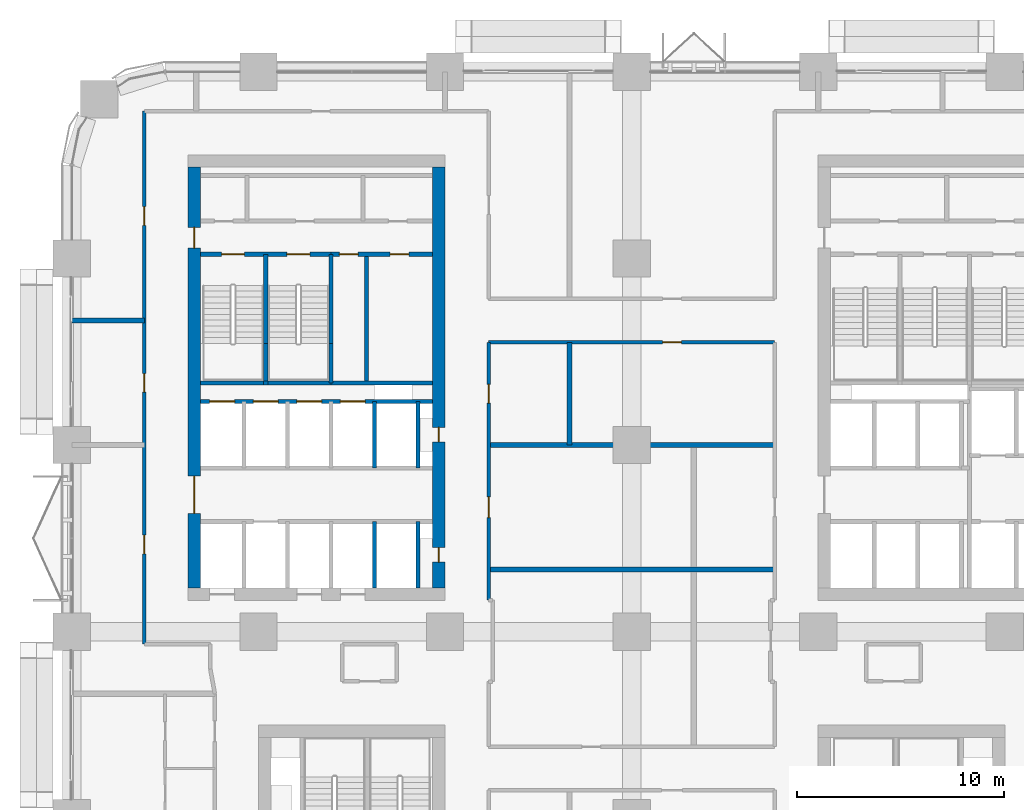
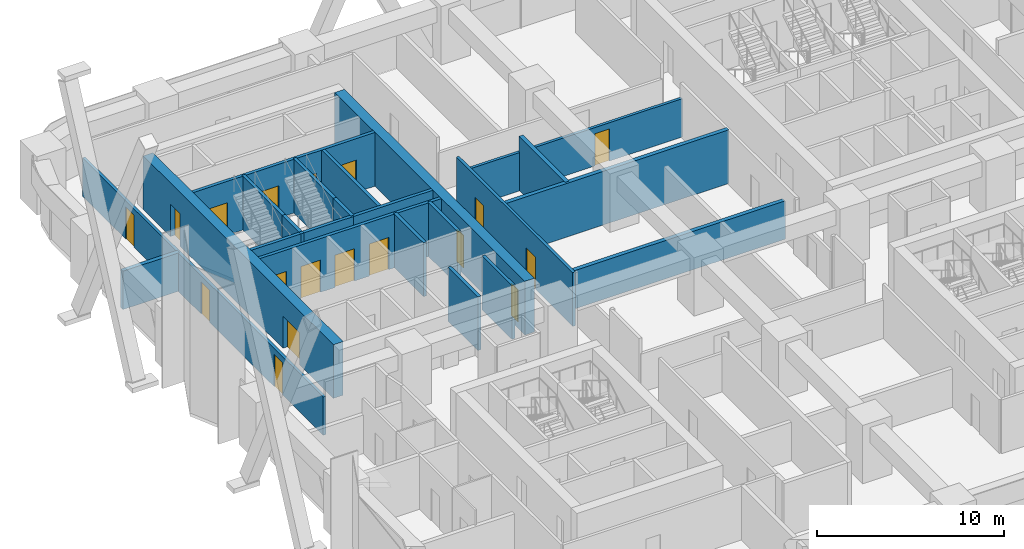
# One storey, part 17 of 23: 25 walls, 18 doors, 18 openings.
"""IFC4 building model written with IfcOpenShell, lengths in metres."""

import ifcopenshell
import ifcopenshell.guid

model = None  # the IFC model being written
_history = None  # IfcOwnerHistory: only IFC2X3 demands one
_inside = {}  # id of a spatial element -> (the spatial element, [elements in it])
_under = {}  # id of a project, library or spatial element -> (it, [spatial elements below it])
_declared = {}  # id of a project -> (the project, [libraries it declares])
_typed = {}  # id of a type object -> (the type object, [elements of that type])
_made_of = {}  # id of a material, layer set ... -> (it, [elements and type objects made of it])


def new_model(schema):
    """Start an empty IFC model of exactly this schema.

    Asked for "IFC4X3", IfcOpenShell would pick the latest addendum, in which some entities
    have other attributes; the version numbers below select the first issue.
    IFC2X3 requires an IfcOwnerHistory on every rooted entity: one is made here for all.
    """
    global model, _history
    if schema == "IFC4X3":
        model = ifcopenshell.file(schema_version=(4, 3, 0, 0))
    else:
        model = ifcopenshell.file(schema=schema)
    _inside.clear()
    _under.clear()
    _declared.clear()
    _typed.clear()
    _made_of.clear()
    _history = None
    if model.schema == "IFC2X3":
        org = make("IfcOrganization", Name="unknown")
        user = make(
            "IfcPersonAndOrganization",
            ThePerson=make("IfcPerson", FamilyName="unknown"),
            TheOrganization=org,
        )
        app = make(
            "IfcApplication",
            ApplicationDeveloper=org,
            Version="unknown",
            ApplicationFullName="unknown",
            ApplicationIdentifier="unknown",
        )
        _history = make(
            "IfcOwnerHistory",
            OwningUser=user,
            OwningApplication=app,
            ChangeAction="ADDED",
            CreationDate=0,
        )
    return model


def make(cls, **values):
    """One entity of the class cls with the attributes given. An attribute that is None is left unset."""
    return model.create_entity(
        cls, **{name: value for name, value in values.items() if value is not None}
    )


def rooted(cls, **values):
    """An entity with a GlobalId (a new one), such as an element, a storey or a relation."""
    return make(cls, GlobalId=ifcopenshell.guid.new(), OwnerHistory=_history, **values)


def si_unit(unit_type, name, prefix=None):
    """IfcSIUnit, for example si_unit("LENGTHUNIT", "METRE", prefix="MILLI")."""
    return make("IfcSIUnit", UnitType=unit_type, Prefix=prefix, Name=name)


def assignment(units):
    """IfcUnitAssignment: the units of a project."""
    return None if units is None else make("IfcUnitAssignment", Units=units)


def point(xyz):
    """IfcCartesianPoint."""
    return None if xyz is None else make("IfcCartesianPoint", Coordinates=xyz)


def direction(xyz):
    """IfcDirection."""
    return None if xyz is None else make("IfcDirection", DirectionRatios=xyz)


def frame(location, z_axis=None, x_axis=None):
    """IfcAxis2Placement3D, a coordinate frame: its origin and axes. An axis left out is left unset."""
    return make(
        "IfcAxis2Placement3D",
        Location=point(location),
        Axis=direction(z_axis),
        RefDirection=direction(x_axis),
    )


def frame_2d(location, x_axis=None):
    """IfcAxis2Placement2D, a coordinate frame in the plane: its origin and x axis."""
    return make(
        "IfcAxis2Placement2D", Location=point(location), RefDirection=direction(x_axis)
    )


def origin():
    """The frame at (0, 0, 0) with its axes left unset."""
    return frame((0.0, 0.0, 0.0))


def place(relative_to, where):
    """IfcLocalPlacement: puts the frame where relative to a parent placement (None: the world)."""
    return make(
        "IfcLocalPlacement", PlacementRelTo=relative_to, RelativePlacement=where
    )


def context(
    kind, dimensions, precision=None, world=None, true_north=None, identifier=None
):
    """IfcGeometricRepresentationContext, for example the 3D "Model" context."""
    return make(
        "IfcGeometricRepresentationContext",
        ContextIdentifier=identifier,
        ContextType=kind,
        CoordinateSpaceDimension=dimensions,
        Precision=precision,
        WorldCoordinateSystem=world,
        TrueNorth=true_north,
    )


def subcontext(parent, identifier, kind, view, scale=None):
    """IfcGeometricRepresentationSubContext, for example "Body" below "Model"."""
    return make(
        "IfcGeometricRepresentationSubContext",
        ContextIdentifier=identifier,
        ContextType=kind,
        ParentContext=parent,
        TargetScale=scale,
        TargetView=view,
    )


def project(units=None, contexts=None):
    """IfcProject with its units and contexts."""
    return rooted(
        "IfcProject",
        Name="project",
        RepresentationContexts=contexts,
        UnitsInContext=assignment(units),
    )


def spatial(cls, under=None, at=None, **own):
    """A site, building, storey or space (cls), placed at a placement, below another one or the project."""
    s = rooted(cls, ObjectPlacement=at, **own)
    if under is not None:
        _under.setdefault(under.id(), (under, []))[1].append(s)
    return s


def profile(cls, at=None, kind="AREA", **sizes):
    """A parametric profile (cls). Its sizes go by their IFC names, for example OverallWidth=200.0."""
    return make(cls, ProfileType=kind, Position=at, **sizes)


def rectangle(**sizes):
    """IfcRectangleProfileDef."""
    return profile("IfcRectangleProfileDef", **sizes)


def extrude(swept, where, along, depth):
    """IfcExtrudedAreaSolid: the profile swept, set in the frame where, extruded along a direction by depth."""
    return make(
        "IfcExtrudedAreaSolid",
        SweptArea=swept,
        Position=where,
        ExtrudedDirection=direction(along),
        Depth=depth,
    )


def shape(context_of_items, identifier, shape_type, items):
    """IfcShapeRepresentation: the items that make up one representation, for example the "Body"."""
    return make(
        "IfcShapeRepresentation",
        ContextOfItems=context_of_items,
        RepresentationIdentifier=identifier,
        RepresentationType=shape_type,
        Items=items,
    )


def material(Name=None, Category=None):
    """IfcMaterial."""
    return make("IfcMaterial", Name=Name, Category=Category)


def layer(
    of_material, thickness, ventilated=None, Name=None, Category=None, Priority=None
):
    """IfcMaterialLayer: one layer of a wall or slab, of a material (None: an air gap)."""
    return make(
        "IfcMaterialLayer",
        Material=of_material,
        LayerThickness=thickness,
        IsVentilated=ventilated,
        Name=Name,
        Category=Category,
        Priority=Priority,
    )


def layer_set(layers, Name=None):
    """IfcMaterialLayerSet."""
    return make("IfcMaterialLayerSet", MaterialLayers=layers, LayerSetName=Name)


def made_of(thing, what):
    """Note that an element or type object is made of a material, layer set ...; save() writes the relation."""
    if what is not None:
        _made_of.setdefault(what.id(), (what, []))[1].append(thing)
    return thing


def type_object(cls, material=None, **own):
    """A type object (cls), such as IfcWallType, which elements share."""
    return made_of(rooted(cls, **own), material)


def element(
    cls,
    number,
    at=None,
    inside=None,
    cuts=None,
    type_object=None,
    material=None,
    context=None,
    identifier="Body",
    shape_type=None,
    held_by="IfcProductDefinitionShape",
    body=None,
    shapes=None,
    **own,
):
    """One element of the class cls, such as IfcWall. Its Tag is "e" and its number.

    at: its placement. inside: the storey or other place that contains it. cuts: it is an
    opening in that element (IfcRelVoidsElement). A single representation is given by context,
    identifier, shape_type and body (its items); several are given by shapes. held_by: the class
    of the entity that holds the representations. save() writes the other relations.
    """
    e = rooted(cls, Tag="e%d" % number, ObjectPlacement=at, **own)
    if body is not None:
        shapes = [shape(context, identifier, shape_type, body)]
    if shapes is not None:
        e.Representation = make(held_by, Representations=shapes)
    if inside is not None:
        _inside.setdefault(inside.id(), (inside, []))[1].append(e)
    if cuts is not None:
        rooted(
            "IfcRelVoidsElement", RelatingBuildingElement=cuts, RelatedOpeningElement=e
        )
    if type_object is not None:
        _typed.setdefault(type_object.id(), (type_object, []))[1].append(e)
    return made_of(e, material)


def fill(opening, filler):
    """IfcRelFillsElement: the door or window that sits in an opening."""
    return rooted(
        "IfcRelFillsElement",
        RelatingOpeningElement=opening,
        RelatedBuildingElement=filler,
    )


def aggregate(whole, parts):
    """IfcRelAggregates: a whole, such as a stair, and the parts it consists of."""
    return rooted("IfcRelAggregates", RelatingObject=whole, RelatedObjects=parts)


def save(model, path):
    """Write the relations noted so far, then the file.

    IfcRelAggregates (storeys below a building ...), IfcRelContainedInSpatialStructure (elements
    in a storey), IfcRelDefinesByType, IfcRelAssociatesMaterial and IfcRelDeclares: one each for
    every whole, place, type object, material and project.
    """
    for whole, parts in _under.values():
        aggregate(whole, parts)
    for where, things in _inside.values():
        rooted(
            "IfcRelContainedInSpatialStructure",
            RelatedElements=things,
            RelatingStructure=where,
        )
    for kind, things in _typed.values():
        rooted("IfcRelDefinesByType", RelatedObjects=things, RelatingType=kind)
    for what, things in _made_of.values():
        rooted("IfcRelAssociatesMaterial", RelatedObjects=things, RelatingMaterial=what)
    for by, libraries in _declared.values():
        rooted("IfcRelDeclares", RelatingContext=by, RelatedDefinitions=libraries)
    model.write(path)


model = new_model("IFC4")

# Units and contexts
model_context = context("Model", 3, precision=1e-05, world=origin(), true_north=direction((0.0, 1.0)))
body_context = subcontext(model_context, "Body", "Model", "MODEL_VIEW")
ifc_project = project(units=[si_unit("LENGTHUNIT", "METRE"), si_unit("AREAUNIT", "SQUARE_METRE"), si_unit("VOLUMEUNIT", "CUBIC_METRE"), si_unit("PLANEANGLEUNIT", "RADIAN"), si_unit("MASSUNIT", "GRAM", prefix="KILO")], contexts=[model_context])

# Site, building, storey
site_placement = place(None, origin())
site = spatial("IfcSite", under=ifc_project, at=site_placement, CompositionType="ELEMENT")
building_placement = place(site_placement, origin())
building = spatial("IfcBuilding", under=site, at=building_placement, Name="Tessera Arch", CompositionType="ELEMENT")
storey_placement = place(building_placement, frame((0.0, 0.0, 46.199951171875)))
storey = spatial("IfcBuildingStorey", under=building, at=storey_placement, Name="L09", CompositionType="ELEMENT", Elevation=46.199951171875)

# Wall
ifc_material_1 = material(Name="Gypsum board on steel stud", Category="steel")
ifc_layer_1 = layer(ifc_material_1, 0.125)
ifc_layer_set_1 = layer_set([ifc_layer_1], Name="Core partition 125 EI 60")
wall_type_1 = type_object("IfcWallType", Name="Core partition 125 EI 60", PredefinedType="PARTITIONING", material=ifc_layer_set_1)
wall_1_placement = place(storey_placement, frame((14.215087890625, 39.0, 0.0), z_axis=(0.0, 0.0, 1.0), x_axis=(0.0, 1.0, 0.0)))
element("IfcWall", 1, at=wall_1_placement, inside=storey, type_object=wall_type_1, Name="L09 C2 partition wall 13", PredefinedType="PARTITIONING", context=body_context, shape_type="SweptSolid", body=[
    extrude(rectangle(XDim=6.199951171875, YDim=0.199951171875, at=frame_2d((3.10009765625, 0.0))), origin(), (0.0, 0.0, 1.0), 3.5),
])

# Wall, openings, doors
wall_2_placement = place(storey_placement, frame((12.5, 45.199951171875, 0.0), z_axis=(0.0, 0.0, 1.0), x_axis=(1.0, 0.0, 0.0)))
wall_2 = element("IfcWall", 2, at=wall_2_placement, inside=storey, type_object=wall_type_1, Name="L09 C2 partition wall 25", PredefinedType="PARTITIONING", context=body_context, shape_type="SweptSolid", body=[
    extrude(rectangle(XDim=4.89990234375, YDim=0.199951171875, at=frame_2d((2.449951171875, 0.0))), origin(), (0.0, 0.0, 1.0), 3.5),
])
opening_1_placement = place(wall_2_placement, frame((0.407470703125, 0.0, 0.0)))
opening_1 = element("IfcOpeningElement", 3, at=opening_1_placement, cuts=wall_2, Name="Opening L09-C31", PredefinedType="OPENING", context=body_context, shape_type="SweptSolid", body=[
    extrude(rectangle(XDim=0.89990234375, YDim=2.10009765625, at=frame_2d((0.449951171875, 1.050048828125))), frame((0.0, 0.10986328125, 0.0), z_axis=(0.0, -1.0, 0.0), x_axis=(1.0, 0.0, 0.0)), (0.0, 0.0, 1.0), 0.219970703125),
])
opening_2_placement = place(wall_2_placement, frame((2.857421875, 0.0, 0.0)))
opening_2 = element("IfcOpeningElement", 4, at=opening_2_placement, cuts=wall_2, Name="Opening L09-C32", PredefinedType="OPENING", context=body_context, shape_type="SweptSolid", body=[
    extrude(rectangle(XDim=0.89990234375, YDim=2.10009765625, at=frame_2d((0.449951171875, 1.050048828125))), frame((0.0, 0.10986328125, 0.0), z_axis=(0.0, -1.0, 0.0), x_axis=(1.0, 0.0, 0.0)), (0.0, 0.0, 1.0), 0.219970703125),
])
ifc_material_2 = material(Name="Steel door leaf", Category="steel")
door_type_1 = type_object("IfcDoorType", Name="Store door FD30S 900 x 2100", OperationType="SINGLE_SWING_LEFT", PredefinedType="DOOR", material=ifc_material_2)
door_1_placement = place(opening_1_placement, origin())
door_1 = element("IfcDoor", 5, at=door_1_placement, inside=storey, type_object=door_type_1, Name="L09 C2 door 18 C31 type D09", OperationType="SINGLE_SWING_LEFT", OverallHeight=2.10009765625, OverallWidth=0.89990234375, PredefinedType="DOOR", context=body_context, shape_type="SweptSolid", body=[
    extrude(rectangle(XDim=0.89990234375, YDim=2.10009765625, at=frame_2d((0.449951171875, 1.050048828125))), frame((0.0, 0.02490234375, 0.0), z_axis=(0.0, -1.0, 0.0), x_axis=(1.0, 0.0, 0.0)), (0.0, 0.0, 1.0), 0.050048828125),
])
fill(opening_1, door_1)
door_2_placement = place(opening_2_placement, origin())
door_2 = element("IfcDoor", 6, at=door_2_placement, inside=storey, type_object=door_type_1, Name="L09 C2 door 19 C32 type D09", OperationType="SINGLE_SWING_RIGHT", OverallHeight=2.10009765625, OverallWidth=0.89990234375, PredefinedType="DOOR", context=body_context, shape_type="SweptSolid", body=[
    extrude(rectangle(XDim=0.89990234375, YDim=2.10009765625, at=frame_2d((0.449951171875, 1.050048828125))), frame((0.0, 0.02490234375, 0.0), z_axis=(0.0, -1.0, 0.0), x_axis=(1.0, 0.0, 0.0)), (0.0, 0.0, 1.0), 0.050048828125),
])
fill(opening_2, door_2)

ifc_material_3 = material(Name="Concrete C70/85", Category="concrete")
ifc_layer_2 = layer(ifc_material_3, 0.60009765625)
ifc_layer_set_2 = layer_set([ifc_layer_2], Name="Core shell wall 600 C70-85")
wall_type_2 = type_object("IfcWallType", Name="Core shell wall 600 C70-85", PredefinedType="SHEAR", material=ifc_layer_set_2)
wall_3_placement = place(storey_placement, frame((5.89990234375, 29.10009765625, 0.0), z_axis=(0.0, 0.0, 1.0), x_axis=(0.0, 1.0, 0.0)))
wall_3 = element("IfcWall", 7, at=wall_3_placement, inside=storey, type_object=wall_type_2, Name="L09 C2 core wall W", PredefinedType="SHEAR", context=body_context, shape_type="SweptSolid", body=[
    extrude(rectangle(XDim=20.2998046875, YDim=0.60009765625, at=frame_2d((10.14990234375, 0.0))), origin(), (0.0, 0.0, 1.0), 3.5),
])
opening_3_placement = place(wall_3_placement, frame((3.60009765625, 0.0, 0.0)))
opening_3 = element("IfcOpeningElement", 8, at=opening_3_placement, cuts=wall_3, Name="Opening L09-C24", PredefinedType="OPENING", context=body_context, shape_type="SweptSolid", body=[
    extrude(rectangle(XDim=1.800048828125, YDim=2.10009765625, at=frame_2d((0.89990234375, 1.050048828125))), frame((0.0, 0.31005859375, 0.0), z_axis=(0.0, -1.0, 0.0), x_axis=(1.0, 0.0, 0.0)), (0.0, 0.0, 1.0), 0.6201171875),
])
opening_4_placement = place(wall_3_placement, frame((16.39990234375, 0.0, 0.0)))
opening_4 = element("IfcOpeningElement", 9, at=opening_4_placement, cuts=wall_3, Name="Opening L09-C27", PredefinedType="OPENING", context=body_context, shape_type="SweptSolid", body=[
    extrude(rectangle(XDim=1.0, YDim=2.10009765625, at=frame_2d((0.5, 1.050048828125))), frame((0.0, 0.31005859375, 0.0), z_axis=(0.0, -1.0, 0.0), x_axis=(1.0, 0.0, 0.0)), (0.0, 0.0, 1.0), 0.6201171875),
])
ifc_material_4 = material(Name="Steel door leaf", Category="steel")
door_type_2 = type_object("IfcDoorType", Name="Corridor door FD60 1000 x 2100", OperationType="SINGLE_SWING_LEFT", PredefinedType="DOOR", material=ifc_material_4)
door_3_placement = place(opening_4_placement, origin())
door_3 = element("IfcDoor", 10, at=door_3_placement, inside=storey, type_object=door_type_2, Name="L09 C2 door 14 C27 type D12", OperationType="SINGLE_SWING_RIGHT", OverallHeight=2.10009765625, OverallWidth=1.0, PredefinedType="DOOR", context=body_context, shape_type="SweptSolid", body=[
    extrude(rectangle(XDim=1.0, YDim=2.10009765625, at=frame_2d((0.5, 1.050048828125))), frame((0.0, 0.02490234375, 0.0), z_axis=(0.0, -1.0, 0.0), x_axis=(1.0, 0.0, 0.0)), (0.0, 0.0, 1.0), 0.050048828125),
])
fill(opening_4, door_3)
ifc_material_5 = material(Name="Glazed steel door leaf", Category="steel")
door_type_3 = type_object("IfcDoorType", Name="Lobby double door FD30S 1800 x 2100", OperationType="DOUBLE_DOOR_SINGLE_SWING", PredefinedType="DOOR", material=ifc_material_5)
door_4_placement = place(opening_3_placement, origin())
door_4 = element("IfcDoor", 11, at=door_4_placement, inside=storey, type_object=door_type_3, Name="L09 C2 door 11 C24 type D06", OperationType="DOUBLE_DOOR_SINGLE_SWING", OverallHeight=2.10009765625, OverallWidth=1.800048828125, PredefinedType="DOOR", context=body_context, shape_type="SweptSolid", body=[
    extrude(rectangle(XDim=1.800048828125, YDim=2.10009765625, at=frame_2d((0.89990234375, 1.050048828125))), frame((0.0, 0.02490234375, 0.0), z_axis=(0.0, -1.0, 0.0), x_axis=(1.0, 0.0, 0.0)), (0.0, 0.0, 1.0), 0.050048828125),
])
fill(opening_3, door_4)

wall_4_placement = place(storey_placement, frame((17.699951171875, 29.10009765625, 0.0), z_axis=(0.0, 0.0, 1.0), x_axis=(0.0, 1.0, 0.0)))
wall_4 = element("IfcWall", 12, at=wall_4_placement, inside=storey, type_object=wall_type_2, Name="L09 C2 core wall E", PredefinedType="SHEAR", context=body_context, shape_type="SweptSolid", body=[
    extrude(rectangle(XDim=20.2998046875, YDim=0.60009765625, at=frame_2d((10.14990234375, 0.0))), origin(), (0.0, 0.0, 1.0), 3.5),
])
opening_5_placement = place(wall_4_placement, frame((1.25, 0.0, 0.0)))
opening_5 = element("IfcOpeningElement", 13, at=opening_5_placement, cuts=wall_4, Name="Opening L09-C22", PredefinedType="OPENING", context=body_context, shape_type="SweptSolid", body=[
    extrude(rectangle(XDim=0.699951171875, YDim=2.10009765625, at=frame_2d((0.35009765625, 1.050048828125))), frame((0.0, 0.31005859375, 0.0), z_axis=(0.0, -1.0, 0.0), x_axis=(1.0, 0.0, 0.0)), (0.0, 0.0, 1.0), 0.6201171875),
])
opening_6_placement = place(wall_4_placement, frame((7.050048828125, 0.0, 0.0)))
opening_6 = element("IfcOpeningElement", 14, at=opening_6_placement, cuts=wall_4, Name="Opening L09-C23", PredefinedType="OPENING", context=body_context, shape_type="SweptSolid", body=[
    extrude(rectangle(XDim=0.699951171875, YDim=2.10009765625, at=frame_2d((0.35009765625, 1.050048828125))), frame((0.0, 0.31005859375, 0.0), z_axis=(0.0, -1.0, 0.0), x_axis=(1.0, 0.0, 0.0)), (0.0, 0.0, 1.0), 0.6201171875),
])
ifc_material_6 = material(Name="Steel door leaf", Category="steel")
door_type_4 = type_object("IfcDoorType", Name="Service shaft door FD60 700 x 2100", OperationType="SINGLE_SWING_LEFT", PredefinedType="DOOR", material=ifc_material_6)
door_5_placement = place(opening_5_placement, origin())
door_5 = element("IfcDoor", 15, at=door_5_placement, inside=storey, type_object=door_type_4, Name="L09 C2 door 9 C22 type D07", OperationType="SINGLE_SWING_LEFT", OverallHeight=2.10009765625, OverallWidth=0.699951171875, PredefinedType="DOOR", context=body_context, shape_type="SweptSolid", body=[
    extrude(rectangle(XDim=0.699951171875, YDim=2.10009765625, at=frame_2d((0.35009765625, 1.050048828125))), frame((0.0, 0.02490234375, 0.0), z_axis=(0.0, -1.0, 0.0), x_axis=(1.0, 0.0, 0.0)), (0.0, 0.0, 1.0), 0.050048828125),
])
fill(opening_5, door_5)
door_6_placement = place(opening_6_placement, origin())
door_6 = element("IfcDoor", 16, at=door_6_placement, inside=storey, type_object=door_type_4, Name="L09 C2 door 10 C23 type D07", OperationType="SINGLE_SWING_LEFT", OverallHeight=2.10009765625, OverallWidth=0.699951171875, PredefinedType="DOOR", context=body_context, shape_type="SweptSolid", body=[
    extrude(rectangle(XDim=0.699951171875, YDim=2.10009765625, at=frame_2d((0.35009765625, 1.050048828125))), frame((0.0, 0.02490234375, 0.0), z_axis=(0.0, -1.0, 0.0), x_axis=(1.0, 0.0, 0.0)), (0.0, 0.0, 1.0), 0.050048828125),
])
fill(opening_6, door_6)

# Wall, opening, door
ifc_material_7 = material(Name="Gypsum board on deep steel stud with mineral wool", Category="steel")
ifc_layer_3 = layer(ifc_material_7, 0.175048828125)
ifc_layer_set_3 = layer_set([ifc_layer_3], Name="Corridor wall 175 EI 60")
wall_type_3 = type_object("IfcWallType", Name="Corridor wall 175 EI 60", PredefinedType="PARTITIONING", material=ifc_layer_set_3)
wall_5_placement = place(storey_placement, frame((20.10009765625, 40.949951171875, 0.0), z_axis=(0.0, 0.0, 1.0), x_axis=(1.0, 0.0, 0.0)))
wall_5 = element("IfcWall", 17, at=wall_5_placement, inside=storey, type_object=wall_type_3, Name="L09 partition 15", PredefinedType="PARTITIONING", context=body_context, shape_type="SweptSolid", body=[
    extrude(rectangle(XDim=13.7998046875, YDim=0.175048828125, at=frame_2d((6.89990234375, 0.0))), origin(), (0.0, 0.0, 1.0), 2.5),
])
opening_7_placement = place(wall_5_placement, frame((8.39990234375, 0.0, 0.0)))
opening_7 = element("IfcOpeningElement", 18, at=opening_7_placement, cuts=wall_5, Name="Opening L09-D025", PredefinedType="OPENING", context=body_context, shape_type="SweptSolid", body=[
    extrude(rectangle(XDim=0.89990234375, YDim=2.10009765625, at=frame_2d((0.449951171875, 1.050048828125))), frame((0.0, 0.097412109375, 0.0), z_axis=(0.0, -1.0, 0.0), x_axis=(1.0, 0.0, 0.0)), (0.0, 0.0, 1.0), 0.195068359375),
])
ifc_material_8 = material(Name="Timber door leaf", Category="wood")
door_type_5 = type_object("IfcDoorType", Name="Room door 900 x 2100", OperationType="SINGLE_SWING_LEFT", PredefinedType="DOOR", material=ifc_material_8)
door_7_placement = place(opening_7_placement, origin())
door_7 = element("IfcDoor", 19, at=door_7_placement, inside=storey, type_object=door_type_5, Name="L09 door D025 type D01", OperationType="SINGLE_SWING_RIGHT", OverallHeight=2.10009765625, OverallWidth=0.89990234375, PredefinedType="DOOR", context=body_context, shape_type="SweptSolid", body=[
    extrude(rectangle(XDim=0.89990234375, YDim=2.10009765625, at=frame_2d((0.449951171875, 1.050048828125))), frame((0.0, 0.02490234375, 0.0), z_axis=(0.0, -1.0, 0.0), x_axis=(1.0, 0.0, 0.0)), (0.0, 0.0, 1.0), 0.050048828125),
])
fill(opening_7, door_7)

# Wall, openings, doors
wall_6_placement = place(storey_placement, frame((3.5, 26.39990234375, 0.0), z_axis=(0.0, 0.0, 1.0), x_axis=(0.0, 1.0, 0.0)))
wall_6 = element("IfcWall", 20, at=wall_6_placement, inside=storey, type_object=wall_type_3, Name="L09 partition 19", PredefinedType="PARTITIONING", context=body_context, shape_type="SweptSolid", body=[
    extrude(rectangle(XDim=25.7001953125, YDim=0.175048828125, at=frame_2d((12.85009765625, 0.0))), origin(), (0.0, 0.0, 1.0), 2.5),
])
opening_8_placement = place(wall_6_placement, frame((4.35009765625, 0.0, 0.0)))
opening_8 = element("IfcOpeningElement", 21, at=opening_8_placement, cuts=wall_6, Name="Opening L09-D020", PredefinedType="OPENING", context=body_context, shape_type="SweptSolid", body=[
    extrude(rectangle(XDim=0.89990234375, YDim=2.10009765625, at=frame_2d((0.449951171875, 1.050048828125))), frame((0.0, 0.097412109375, 0.0), z_axis=(0.0, -1.0, 0.0), x_axis=(1.0, 0.0, 0.0)), (0.0, 0.0, 1.0), 0.195068359375),
])
opening_9_placement = place(wall_6_placement, frame((12.14990234375, 0.0, 0.0)))
opening_9 = element("IfcOpeningElement", 22, at=opening_9_placement, cuts=wall_6, Name="Opening L09-D026", PredefinedType="OPENING", context=body_context, shape_type="SweptSolid", body=[
    extrude(rectangle(XDim=0.89990234375, YDim=2.10009765625, at=frame_2d((0.449951171875, 1.050048828125))), frame((0.0, 0.097412109375, 0.0), z_axis=(0.0, -1.0, 0.0), x_axis=(1.0, 0.0, 0.0)), (0.0, 0.0, 1.0), 0.195068359375),
])
opening_10_placement = place(wall_6_placement, frame((20.199951171875, 0.0, 0.0)))
opening_10 = element("IfcOpeningElement", 23, at=opening_10_placement, cuts=wall_6, Name="Opening L09-D029", PredefinedType="OPENING", context=body_context, shape_type="SweptSolid", body=[
    extrude(rectangle(XDim=0.89990234375, YDim=2.10009765625, at=frame_2d((0.449951171875, 1.050048828125))), frame((0.0, 0.097412109375, 0.0), z_axis=(0.0, -1.0, 0.0), x_axis=(1.0, 0.0, 0.0)), (0.0, 0.0, 1.0), 0.195068359375),
])
door_8_placement = place(opening_8_placement, origin())
door_8 = element("IfcDoor", 24, at=door_8_placement, inside=storey, type_object=door_type_5, Name="L09 door D020 type D01", OperationType="SINGLE_SWING_RIGHT", OverallHeight=2.10009765625, OverallWidth=0.89990234375, PredefinedType="DOOR", context=body_context, shape_type="SweptSolid", body=[
    extrude(rectangle(XDim=0.89990234375, YDim=2.10009765625, at=frame_2d((0.449951171875, 1.050048828125))), frame((0.0, 0.02490234375, 0.0), z_axis=(0.0, -1.0, 0.0), x_axis=(1.0, 0.0, 0.0)), (0.0, 0.0, 1.0), 0.050048828125),
])
fill(opening_8, door_8)
door_9_placement = place(opening_9_placement, origin())
door_9 = element("IfcDoor", 25, at=door_9_placement, inside=storey, type_object=door_type_5, Name="L09 door D026 type D01", OperationType="SINGLE_SWING_RIGHT", OverallHeight=2.10009765625, OverallWidth=0.89990234375, PredefinedType="DOOR", context=body_context, shape_type="SweptSolid", body=[
    extrude(rectangle(XDim=0.89990234375, YDim=2.10009765625, at=frame_2d((0.449951171875, 1.050048828125))), frame((0.0, 0.02490234375, 0.0), z_axis=(0.0, -1.0, 0.0), x_axis=(1.0, 0.0, 0.0)), (0.0, 0.0, 1.0), 0.050048828125),
])
fill(opening_9, door_9)
door_10_placement = place(opening_10_placement, origin())
door_10 = element("IfcDoor", 26, at=door_10_placement, inside=storey, type_object=door_type_5, Name="L09 door D029 type D01", OperationType="SINGLE_SWING_LEFT", OverallHeight=2.10009765625, OverallWidth=0.89990234375, PredefinedType="DOOR", context=body_context, shape_type="SweptSolid", body=[
    extrude(rectangle(XDim=0.89990234375, YDim=2.10009765625, at=frame_2d((0.449951171875, 1.050048828125))), frame((0.0, 0.02490234375, 0.0), z_axis=(0.0, -1.0, 0.0), x_axis=(1.0, 0.0, 0.0)), (0.0, 0.0, 1.0), 0.050048828125),
])
fill(opening_10, door_10)

wall_7_placement = place(storey_placement, frame((20.10009765625, 28.52001953125, 0.0), z_axis=(0.0, 0.0, 1.0), x_axis=(0.0, 1.0, 0.0)))
wall_7 = element("IfcWall", 27, at=wall_7_placement, inside=storey, type_object=wall_type_3, Name="L09 partition 26", PredefinedType="PARTITIONING", context=body_context, shape_type="SweptSolid", body=[
    extrude(rectangle(XDim=12.429931640625, YDim=0.175048828125, at=frame_2d((6.21484375, 0.0))), origin(), (0.0, 0.0, 1.0), 3.5),
])
opening_11_placement = place(wall_7_placement, frame((3.97998046875, 0.0, 0.0)))
opening_11 = element("IfcOpeningElement", 28, at=opening_11_placement, cuts=wall_7, Name="Opening L09-D022", PredefinedType="OPENING", context=body_context, shape_type="SweptSolid", body=[
    extrude(rectangle(XDim=1.0, YDim=2.10009765625, at=frame_2d((0.5, 1.050048828125))), frame((0.0, 0.097412109375, 0.0), z_axis=(0.0, -1.0, 0.0), x_axis=(1.0, 0.0, 0.0)), (0.0, 0.0, 1.0), 0.195068359375),
])
opening_12_placement = place(wall_7_placement, frame((9.5048828125, 0.0, 0.0)))
opening_12 = element("IfcOpeningElement", 29, at=opening_12_placement, cuts=wall_7, Name="Opening L09-D024", PredefinedType="OPENING", context=body_context, shape_type="SweptSolid", body=[
    extrude(rectangle(XDim=0.89990234375, YDim=2.10009765625, at=frame_2d((0.449951171875, 1.050048828125))), frame((0.0, 0.097412109375, 0.0), z_axis=(0.0, -1.0, 0.0), x_axis=(1.0, 0.0, 0.0)), (0.0, 0.0, 1.0), 0.195068359375),
])
ifc_material_9 = material(Name="Fire-rated door leaf")
door_type_6 = type_object("IfcDoorType", Name="Entrance door FD30S 1000 x 2100", OperationType="SINGLE_SWING_LEFT", PredefinedType="DOOR", material=ifc_material_9)
door_11_placement = place(opening_11_placement, origin())
door_11 = element("IfcDoor", 30, at=door_11_placement, inside=storey, type_object=door_type_6, Name="L09 door D022 type D03", OperationType="SINGLE_SWING_LEFT", OverallHeight=2.10009765625, OverallWidth=1.0, PredefinedType="DOOR", context=body_context, shape_type="SweptSolid", body=[
    extrude(rectangle(XDim=1.0, YDim=2.10009765625, at=frame_2d((0.5, 1.050048828125))), frame((0.0, 0.02490234375, 0.0), z_axis=(0.0, -1.0, 0.0), x_axis=(1.0, 0.0, 0.0)), (0.0, 0.0, 1.0), 0.050048828125),
])
fill(opening_11, door_11)
door_12_placement = place(opening_12_placement, origin())
door_12 = element("IfcDoor", 31, at=door_12_placement, inside=storey, type_object=door_type_5, Name="L09 door D024 type D01", OperationType="SINGLE_SWING_LEFT", OverallHeight=2.10009765625, OverallWidth=0.89990234375, PredefinedType="DOOR", context=body_context, shape_type="SweptSolid", body=[
    extrude(rectangle(XDim=0.89990234375, YDim=2.10009765625, at=frame_2d((0.449951171875, 1.050048828125))), frame((0.0, 0.02490234375, 0.0), z_axis=(0.0, -1.0, 0.0), x_axis=(1.0, 0.0, 0.0)), (0.0, 0.0, 1.0), 0.050048828125),
])
fill(opening_12, door_12)

# Walls
ifc_material_10 = material(Name="Double gypsum board on twin steel stud with acoustic mineral wool", Category="steel")
ifc_layer_4 = layer(ifc_material_10, 0.25)
ifc_layer_set_4 = layer_set([ifc_layer_4], Name="Party wall 250 EI 60")
wall_type_4 = type_object("IfcWallType", Name="Party wall 250 EI 60", PredefinedType="PARTITIONING", material=ifc_layer_set_4)
wall_8_placement = place(storey_placement, frame((20.10009765625, 30.0, 0.0), z_axis=(0.0, 0.0, 1.0), x_axis=(1.0, 0.0, 0.0)))
element("IfcWall", 32, at=wall_8_placement, inside=storey, type_object=wall_type_4, Name="L09 partition 49", PredefinedType="PARTITIONING", context=body_context, shape_type="SweptSolid", body=[
    extrude(rectangle(XDim=13.7998046875, YDim=0.25, at=frame_2d((6.89990234375, 0.0))), origin(), (0.0, 0.0, 1.0), 2.5),
])
wall_9_placement = place(storey_placement, frame((20.10009765625, 36.0, 0.0), z_axis=(0.0, 0.0, 1.0), x_axis=(1.0, 0.0, 0.0)))
element("IfcWall", 33, at=wall_9_placement, inside=storey, type_object=wall_type_4, Name="L09 partition 51", PredefinedType="PARTITIONING", context=body_context, shape_type="SweptSolid", body=[
    extrude(rectangle(XDim=13.7998046875, YDim=0.25, at=frame_2d((6.89990234375, 0.0))), origin(), (0.0, 0.0, 1.0), 3.5),
])
wall_10_placement = place(storey_placement, frame((0.0, 42.0, 0.0), z_axis=(0.0, 0.0, 1.0), x_axis=(1.0, 0.0, 0.0)))
element("IfcWall", 34, at=wall_10_placement, inside=storey, type_object=wall_type_4, Name="L09 partition 53", PredefinedType="PARTITIONING", context=body_context, shape_type="SweptSolid", body=[
    extrude(rectangle(XDim=3.5, YDim=0.25, at=frame_2d((1.75, 0.0))), origin(), (0.0, 0.0, 1.0), 2.5),
])
wall_11_placement = place(storey_placement, frame((24.0, 36.0, 0.0), z_axis=(0.0, 0.0, 1.0), x_axis=(0.0, 1.0, 0.0)))
element("IfcWall", 35, at=wall_11_placement, inside=storey, type_object=wall_type_4, Name="L09 partition 60", PredefinedType="PARTITIONING", context=body_context, shape_type="SweptSolid", body=[
    extrude(rectangle(XDim=4.949951171875, YDim=0.25, at=frame_2d((2.47509765625, 0.0))), origin(), (0.0, 0.0, 1.0), 3.5),
])
ifc_material_11 = material(Name="Concrete C40/50", Category="concrete")
ifc_layer_5 = layer(ifc_material_11, 0.199951171875)
ifc_layer_set_5 = layer_set([ifc_layer_5], Name="Shaft wall 200 EI 120")
wall_type_5 = type_object("IfcWallType", Name="Shaft wall 200 EI 120", PredefinedType="SOLIDWALL", material=ifc_layer_set_5)
wall_12_placement = place(storey_placement, frame((14.60009765625, 29.10009765625, 0.0), z_axis=(0.0, 0.0, 1.0), x_axis=(0.0, 1.0, 0.0)))
element("IfcWall", 36, at=wall_12_placement, inside=storey, type_object=wall_type_5, Name="L09 C2 shaft wall 14", PredefinedType="SOLIDWALL", context=body_context, shape_type="SweptSolid", body=[
    extrude(rectangle(XDim=3.199951171875, YDim=0.199951171875, at=frame_2d((1.60009765625, 0.0))), origin(), (0.0, 0.0, 1.0), 3.5),
])
wall_13_placement = place(storey_placement, frame((14.60009765625, 34.89990234375, 0.0), z_axis=(0.0, 0.0, 1.0), x_axis=(0.0, 1.0, 0.0)))
element("IfcWall", 37, at=wall_13_placement, inside=storey, type_object=wall_type_5, Name="L09 C2 shaft wall 15", PredefinedType="SOLIDWALL", context=body_context, shape_type="SweptSolid", body=[
    extrude(rectangle(XDim=3.2001953125, YDim=0.199951171875, at=frame_2d((1.60009765625, 0.0))), origin(), (0.0, 0.0, 1.0), 3.5),
])
wall_14_placement = place(storey_placement, frame((16.699951171875, 29.10009765625, 0.0), z_axis=(0.0, 0.0, 1.0), x_axis=(0.0, 1.0, 0.0)))
element("IfcWall", 38, at=wall_14_placement, inside=storey, type_object=wall_type_5, Name="L09 C2 shaft wall 16", PredefinedType="SOLIDWALL", context=body_context, shape_type="SweptSolid", body=[
    extrude(rectangle(XDim=3.199951171875, YDim=0.199951171875, at=frame_2d((1.60009765625, 0.0))), origin(), (0.0, 0.0, 1.0), 3.5),
])
wall_15_placement = place(storey_placement, frame((16.699951171875, 34.89990234375, 0.0), z_axis=(0.0, 0.0, 1.0), x_axis=(0.0, 1.0, 0.0)))
element("IfcWall", 39, at=wall_15_placement, inside=storey, type_object=wall_type_5, Name="L09 C2 shaft wall 17", PredefinedType="SOLIDWALL", context=body_context, shape_type="SweptSolid", body=[
    extrude(rectangle(XDim=3.2001953125, YDim=0.199951171875, at=frame_2d((1.60009765625, 0.0))), origin(), (0.0, 0.0, 1.0), 3.5),
])

# Wall, openings, doors
wall_16_placement = place(storey_placement, frame((6.199951171875, 38.10009765625, 0.0), z_axis=(0.0, 0.0, 1.0), x_axis=(1.0, 0.0, 0.0)))
wall_16 = element("IfcWall", 40, at=wall_16_placement, inside=storey, type_object=wall_type_5, Name="L09 C2 shaft wall 20", PredefinedType="SOLIDWALL", context=body_context, shape_type="SweptSolid", body=[
    extrude(rectangle(XDim=11.199951171875, YDim=0.199951171875, at=frame_2d((5.60009765625, 0.0))), origin(), (0.0, 0.0, 1.0), 3.5),
])
opening_13_placement = place(wall_16_placement, frame((0.449951171875, 0.0, 0.0)))
opening_13 = element("IfcOpeningElement", 41, at=opening_13_placement, cuts=wall_16, Name="Opening L09-C18", PredefinedType="OPENING", context=body_context, shape_type="SweptSolid", body=[
    extrude(rectangle(XDim=1.199951171875, YDim=2.10009765625, at=frame_2d((0.60009765625, 1.050048828125))), frame((0.0, 0.10986328125, 0.0), z_axis=(0.0, -1.0, 0.0), x_axis=(1.0, 0.0, 0.0)), (0.0, 0.0, 1.0), 0.219970703125),
])
opening_14_placement = place(wall_16_placement, frame((2.550048828125, 0.0, 0.0)))
opening_14 = element("IfcOpeningElement", 42, at=opening_14_placement, cuts=wall_16, Name="Opening L09-C19", PredefinedType="OPENING", context=body_context, shape_type="SweptSolid", body=[
    extrude(rectangle(XDim=1.199951171875, YDim=2.10009765625, at=frame_2d((0.60009765625, 1.050048828125))), frame((0.0, 0.10986328125, 0.0), z_axis=(0.0, -1.0, 0.0), x_axis=(1.0, 0.0, 0.0)), (0.0, 0.0, 1.0), 0.219970703125),
])
opening_15_placement = place(wall_16_placement, frame((4.64990234375, 0.0, 0.0)))
opening_15 = element("IfcOpeningElement", 43, at=opening_15_placement, cuts=wall_16, Name="Opening L09-C20", PredefinedType="OPENING", context=body_context, shape_type="SweptSolid", body=[
    extrude(rectangle(XDim=1.199951171875, YDim=2.10009765625, at=frame_2d((0.60009765625, 1.050048828125))), frame((0.0, 0.10986328125, 0.0), z_axis=(0.0, -1.0, 0.0), x_axis=(1.0, 0.0, 0.0)), (0.0, 0.0, 1.0), 0.219970703125),
])
opening_16_placement = place(wall_16_placement, frame((6.75, 0.0, 0.0)))
opening_16 = element("IfcOpeningElement", 44, at=opening_16_placement, cuts=wall_16, Name="Opening L09-C21", PredefinedType="OPENING", context=body_context, shape_type="SweptSolid", body=[
    extrude(rectangle(XDim=1.199951171875, YDim=2.10009765625, at=frame_2d((0.60009765625, 1.050048828125))), frame((0.0, 0.10986328125, 0.0), z_axis=(0.0, -1.0, 0.0), x_axis=(1.0, 0.0, 0.0)), (0.0, 0.0, 1.0), 0.219970703125),
])
ifc_material_12 = material(Name="Stainless steel AISI 304", Category="steel")
door_type_7 = type_object("IfcDoorType", Name="Sliding landing door 1200 x 2100", OperationType="SLIDING_TO_LEFT", PredefinedType="DOOR", material=ifc_material_12)
door_13_placement = place(opening_13_placement, origin())
door_13 = element("IfcDoor", 45, at=door_13_placement, inside=storey, type_object=door_type_7, Name="L09 LR5 lift landing door C18 type LD", OperationType="SLIDING_TO_LEFT", OverallHeight=2.10009765625, OverallWidth=1.199951171875, PredefinedType="DOOR", context=body_context, shape_type="SweptSolid", body=[
    extrude(rectangle(XDim=1.199951171875, YDim=2.10009765625, at=frame_2d((0.60009765625, 1.050048828125))), frame((0.0, 0.02490234375, 0.0), z_axis=(0.0, -1.0, 0.0), x_axis=(1.0, 0.0, 0.0)), (0.0, 0.0, 1.0), 0.050048828125),
])
fill(opening_13, door_13)
door_14_placement = place(opening_14_placement, origin())
door_14 = element("IfcDoor", 46, at=door_14_placement, inside=storey, type_object=door_type_7, Name="L09 LR6 lift landing door C19 type LD", OperationType="SLIDING_TO_LEFT", OverallHeight=2.10009765625, OverallWidth=1.199951171875, PredefinedType="DOOR", context=body_context, shape_type="SweptSolid", body=[
    extrude(rectangle(XDim=1.199951171875, YDim=2.10009765625, at=frame_2d((0.60009765625, 1.050048828125))), frame((0.0, 0.02490234375, 0.0), z_axis=(0.0, -1.0, 0.0), x_axis=(1.0, 0.0, 0.0)), (0.0, 0.0, 1.0), 0.050048828125),
])
fill(opening_14, door_14)
door_15_placement = place(opening_15_placement, origin())
door_15 = element("IfcDoor", 47, at=door_15_placement, inside=storey, type_object=door_type_7, Name="L09 LR7 lift landing door C20 type LD", OperationType="SLIDING_TO_LEFT", OverallHeight=2.10009765625, OverallWidth=1.199951171875, PredefinedType="DOOR", context=body_context, shape_type="SweptSolid", body=[
    extrude(rectangle(XDim=1.199951171875, YDim=2.10009765625, at=frame_2d((0.60009765625, 1.050048828125))), frame((0.0, 0.02490234375, 0.0), z_axis=(0.0, -1.0, 0.0), x_axis=(1.0, 0.0, 0.0)), (0.0, 0.0, 1.0), 0.050048828125),
])
fill(opening_15, door_15)
door_16_placement = place(opening_16_placement, origin())
door_16 = element("IfcDoor", 48, at=door_16_placement, inside=storey, type_object=door_type_7, Name="L09 LR8 lift landing door C21 type LD", OperationType="SLIDING_TO_LEFT", OverallHeight=2.10009765625, OverallWidth=1.199951171875, PredefinedType="DOOR", context=body_context, shape_type="SweptSolid", body=[
    extrude(rectangle(XDim=1.199951171875, YDim=2.10009765625, at=frame_2d((0.60009765625, 1.050048828125))), frame((0.0, 0.02490234375, 0.0), z_axis=(0.0, -1.0, 0.0), x_axis=(1.0, 0.0, 0.0)), (0.0, 0.0, 1.0), 0.050048828125),
])
fill(opening_16, door_16)

# Walls
wall_17_placement = place(storey_placement, frame((12.5, 39.0, 0.0), z_axis=(0.0, 0.0, 1.0), x_axis=(1.0, 0.0, 0.0)))
element("IfcWall", 49, at=wall_17_placement, inside=storey, type_object=wall_type_5, Name="L09 C2 shaft wall 21", PredefinedType="SOLIDWALL", context=body_context, shape_type="SweptSolid", body=[
    extrude(rectangle(XDim=4.89990234375, YDim=0.199951171875, at=frame_2d((2.449951171875, 0.0))), origin(), (0.0, 0.0, 1.0), 3.5),
])
ifc_material_13 = material(Name="Concrete C40/50", Category="concrete")
ifc_layer_6 = layer(ifc_material_13, 0.199951171875)
ifc_layer_set_6 = layer_set([ifc_layer_6], Name="Stair well wall 200 REI 180")
wall_type_6 = type_object("IfcWallType", Name="Stair well wall 200 REI 180", PredefinedType="SOLIDWALL", material=ifc_layer_set_6)
wall_18_placement = place(storey_placement, frame((9.35009765625, 39.0, 0.0), z_axis=(0.0, 0.0, 1.0), x_axis=(0.0, 1.0, 0.0)))
element("IfcWall", 50, at=wall_18_placement, inside=storey, type_object=wall_type_6, Name="L09 C2 shaft wall 4", PredefinedType="SOLIDWALL", context=body_context, shape_type="SweptSolid", body=[
    extrude(rectangle(XDim=1.89990234375, YDim=0.199951171875, at=frame_2d((0.949951171875, 0.0))), origin(), (0.0, 0.0, 1.0), 3.5),
])
wall_19_placement = place(storey_placement, frame((9.35009765625, 40.89990234375, 0.0), z_axis=(0.0, 0.0, 1.0), x_axis=(0.0, 1.0, 0.0)))
element("IfcWall", 51, at=wall_19_placement, inside=storey, type_object=wall_type_6, Name="L09 C2 shaft wall 5", PredefinedType="SOLIDWALL", context=body_context, shape_type="SweptSolid", body=[
    extrude(rectangle(XDim=4.300048828125, YDim=0.199951171875, at=frame_2d((2.14990234375, 0.0))), origin(), (0.0, 0.0, 1.0), 3.5),
])
wall_20_placement = place(storey_placement, frame((12.5, 39.0, 0.0), z_axis=(0.0, 0.0, 1.0), x_axis=(0.0, 1.0, 0.0)))
element("IfcWall", 52, at=wall_20_placement, inside=storey, type_object=wall_type_6, Name="L09 C2 shaft wall 10", PredefinedType="SOLIDWALL", context=body_context, shape_type="SweptSolid", body=[
    extrude(rectangle(XDim=1.89990234375, YDim=0.199951171875, at=frame_2d((0.949951171875, 0.0))), origin(), (0.0, 0.0, 1.0), 3.5),
])
wall_21_placement = place(storey_placement, frame((12.5, 40.89990234375, 0.0), z_axis=(0.0, 0.0, 1.0), x_axis=(0.0, 1.0, 0.0)))
element("IfcWall", 53, at=wall_21_placement, inside=storey, type_object=wall_type_6, Name="L09 C2 shaft wall 11", PredefinedType="SOLIDWALL", context=body_context, shape_type="SweptSolid", body=[
    extrude(rectangle(XDim=4.300048828125, YDim=0.199951171875, at=frame_2d((2.14990234375, 0.0))), origin(), (0.0, 0.0, 1.0), 3.5),
])
wall_22_placement = place(storey_placement, frame((6.199951171875, 39.0, 0.0), z_axis=(0.0, 0.0, 1.0), x_axis=(1.0, 0.0, 0.0)))
element("IfcWall", 54, at=wall_22_placement, inside=storey, type_object=wall_type_6, Name="L09 C2 shaft wall 22", PredefinedType="SOLIDWALL", context=body_context, shape_type="SweptSolid", body=[
    extrude(rectangle(XDim=3.050048828125, YDim=0.199951171875, at=frame_2d((1.52490234375, 0.0))), origin(), (0.0, 0.0, 1.0), 3.5),
])
wall_23_placement = place(storey_placement, frame((9.25, 39.0, 0.0), z_axis=(0.0, 0.0, 1.0), x_axis=(1.0, 0.0, 0.0)))
element("IfcWall", 55, at=wall_23_placement, inside=storey, type_object=wall_type_6, Name="L09 C2 shaft wall 23", PredefinedType="SOLIDWALL", context=body_context, shape_type="SweptSolid", body=[
    extrude(rectangle(XDim=0.199951171875, YDim=0.199951171875, at=frame_2d((0.10009765625, 0.0))), origin(), (0.0, 0.0, 1.0), 3.5),
])
wall_24_placement = place(storey_placement, frame((9.449951171875, 39.0, 0.0), z_axis=(0.0, 0.0, 1.0), x_axis=(1.0, 0.0, 0.0)))
element("IfcWall", 56, at=wall_24_placement, inside=storey, type_object=wall_type_6, Name="L09 C2 shaft wall 24", PredefinedType="SOLIDWALL", context=body_context, shape_type="SweptSolid", body=[
    extrude(rectangle(XDim=3.050048828125, YDim=0.199951171875, at=frame_2d((1.52490234375, 0.0))), origin(), (0.0, 0.0, 1.0), 3.5),
])

# Wall, openings, doors
wall_25_placement = place(storey_placement, frame((6.199951171875, 45.199951171875, 0.0), z_axis=(0.0, 0.0, 1.0), x_axis=(1.0, 0.0, 0.0)))
wall_25 = element("IfcWall", 57, at=wall_25_placement, inside=storey, type_object=wall_type_6, Name="L09 C2 shaft wall 26", PredefinedType="SOLIDWALL", context=body_context, shape_type="SweptSolid", body=[
    extrude(rectangle(XDim=6.300048828125, YDim=0.199951171875, at=frame_2d((3.14990234375, 0.0))), origin(), (0.0, 0.0, 1.0), 3.5),
])
opening_17_placement = place(wall_25_placement, frame((1.02490234375, 0.0, 0.0)))
opening_17 = element("IfcOpeningElement", 58, at=opening_17_placement, cuts=wall_25, Name="Opening L09-C25", PredefinedType="OPENING", context=body_context, shape_type="SweptSolid", body=[
    extrude(rectangle(XDim=1.10009765625, YDim=2.10009765625, at=frame_2d((0.550048828125, 1.050048828125))), frame((0.0, 0.10986328125, 0.0), z_axis=(0.0, -1.0, 0.0), x_axis=(1.0, 0.0, 0.0)), (0.0, 0.0, 1.0), 0.219970703125),
])
opening_18_placement = place(wall_25_placement, frame((4.175048828125, 0.0, 0.0)))
opening_18 = element("IfcOpeningElement", 59, at=opening_18_placement, cuts=wall_25, Name="Opening L09-C26", PredefinedType="OPENING", context=body_context, shape_type="SweptSolid", body=[
    extrude(rectangle(XDim=1.10009765625, YDim=2.10009765625, at=frame_2d((0.550048828125, 1.050048828125))), frame((0.0, 0.10986328125, 0.0), z_axis=(0.0, -1.0, 0.0), x_axis=(1.0, 0.0, 0.0)), (0.0, 0.0, 1.0), 0.219970703125),
])
ifc_material_14 = material(Name="Steel door leaf", Category="steel")
door_type_8 = type_object("IfcDoorType", Name="Stair door FD60 1100 x 2100", OperationType="SINGLE_SWING_LEFT", PredefinedType="DOOR", material=ifc_material_14)
door_17_placement = place(opening_17_placement, origin())
door_17 = element("IfcDoor", 60, at=door_17_placement, inside=storey, type_object=door_type_8, Name="L09 C2 door 12 C25 type D05", OperationType="SINGLE_SWING_LEFT", OverallHeight=2.10009765625, OverallWidth=1.10009765625, PredefinedType="DOOR", context=body_context, shape_type="SweptSolid", body=[
    extrude(rectangle(XDim=1.10009765625, YDim=2.10009765625, at=frame_2d((0.550048828125, 1.050048828125))), frame((0.0, 0.02490234375, 0.0), z_axis=(0.0, -1.0, 0.0), x_axis=(1.0, 0.0, 0.0)), (0.0, 0.0, 1.0), 0.050048828125),
])
fill(opening_17, door_17)
door_18_placement = place(opening_18_placement, origin())
door_18 = element("IfcDoor", 61, at=door_18_placement, inside=storey, type_object=door_type_8, Name="L09 C2 door 13 C26 type D05", OperationType="SINGLE_SWING_RIGHT", OverallHeight=2.10009765625, OverallWidth=1.10009765625, PredefinedType="DOOR", context=body_context, shape_type="SweptSolid", body=[
    extrude(rectangle(XDim=1.10009765625, YDim=2.10009765625, at=frame_2d((0.550048828125, 1.050048828125))), frame((0.0, 0.02490234375, 0.0), z_axis=(0.0, -1.0, 0.0), x_axis=(1.0, 0.0, 0.0)), (0.0, 0.0, 1.0), 0.050048828125),
])
fill(opening_18, door_18)

save(model, "model.ifc")
